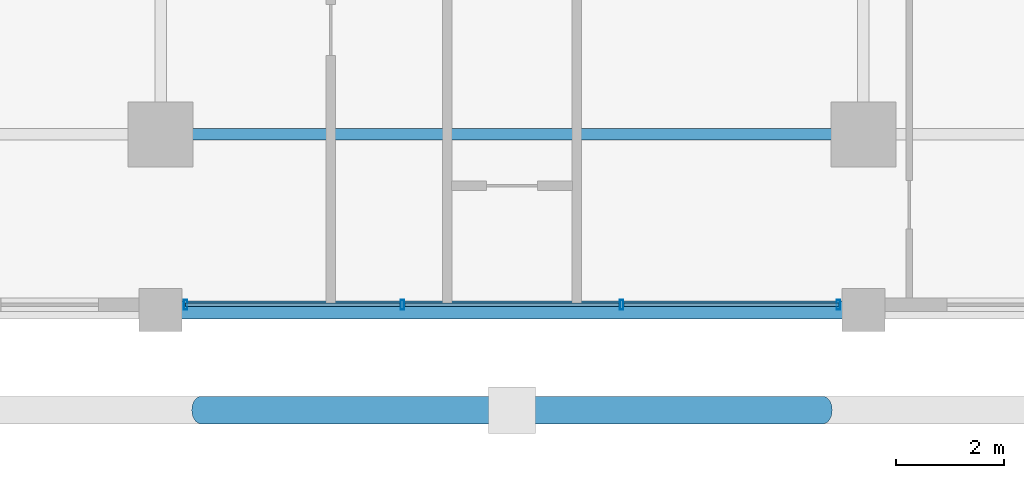
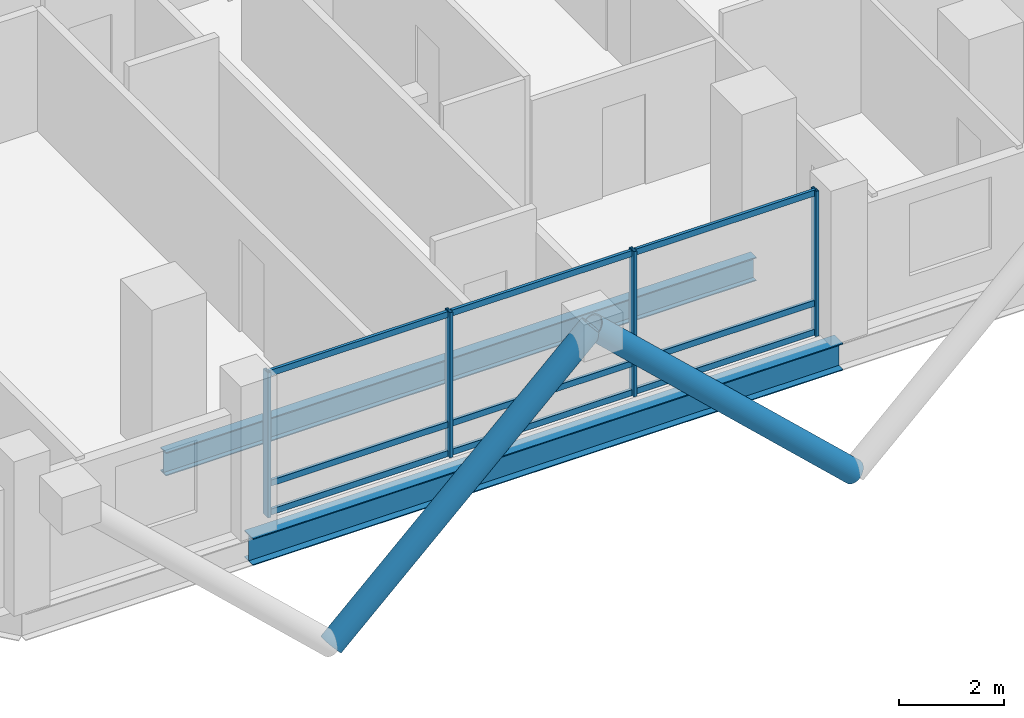
# One storey, part 2 of 23: 15 members, 2 beams, 1 element without a shape of its own.
"""IFC4 building model written with IfcOpenShell, lengths in metres."""

from ifc_helpers import new_model, si_unit, direction, frame, origin, origin_2d, place, context, subcontext, project, spatial, hollow_rectangle, hollow_circle, i_section, extrude, material, layer, layer_set, material_profile, profile_set, type_object, element, aggregate, save


model = new_model("IFC4")

# Units and contexts
model_context = context("Model", 3, precision=1e-05, world=origin(), true_north=direction((0.0, 1.0)))
body_context = subcontext(model_context, "Body", "Model", "MODEL_VIEW")
ifc_project = project(units=[si_unit("LENGTHUNIT", "METRE"), si_unit("AREAUNIT", "SQUARE_METRE"), si_unit("VOLUMEUNIT", "CUBIC_METRE"), si_unit("PLANEANGLEUNIT", "RADIAN"), si_unit("MASSUNIT", "GRAM", prefix="KILO")], contexts=[model_context])

# Site, building, storey
site_placement = place(None, origin())
site = spatial("IfcSite", under=ifc_project, at=site_placement, CompositionType="ELEMENT")
building_placement = place(site_placement, origin())
building = spatial("IfcBuilding", under=site, at=building_placement, Name="Barlavira Tower and Art Museum", CompositionType="ELEMENT")
storey_placement = place(building_placement, frame((0.0, 0.0, 151.199951171875)))
storey = spatial("IfcBuildingStorey", under=building, at=storey_placement, Name="L38", CompositionType="ELEMENT", Elevation=151.199951171875)

# Curtain wall, members
ifc_material_1 = material(Name="Low-iron coastal laminated glass", Category="glass")
ifc_layer = layer(ifc_material_1, 0.18994140625, Name="Low-iron coastal laminated glass")
ifc_layer_set = layer_set([ifc_layer], Name="Low-iron coastal laminated glass")
curtain_wall_type = type_object("IfcCurtainWallType", Name="Pale-Metal Unitised Curtain Wall Zone 2", PredefinedType="NOTDEFINED", material=ifc_layer_set)
curtain_wall_placement = place(storey_placement, origin())
curtain_wall = element("IfcCurtainWall", 1, at=curtain_wall_placement, inside=storey, type_object=curtain_wall_type, Name="L38 Curtain Wall CW2-L38-S-B3", PredefinedType="NOTDEFINED")
ifc_material_2 = material(Name="Pale anodised aluminium", Category="aluminium")
ifc_material_profile_1 = material_profile(ifc_material_2, hollow_rectangle(XDim=0.06494140625, YDim=0.179931640625, WallThickness=0.00390625, at=origin_2d()), Name="ALU-MULL 65x180x4")
ifc_profile_set_1 = profile_set([ifc_material_profile_1], Name="Pale anodised aluminium")
member_type_1 = type_object("IfcMemberType", Name="Curtain Wall Pale-Metal Mullion 65x180", PredefinedType="MULLION", material=ifc_profile_set_1)
member_1_placement = place(storey_placement, frame((-6.034912109375, -23.14990234375, 0.0), z_axis=(0.0, 0.0, 1.0), x_axis=(1.0, 0.0, 0.0)))
member_1 = element("IfcMember", 2, at=member_1_placement, type_object=member_type_1, Name="CW2-L38-S-B3 Mullion 0", PredefinedType="MULLION", context=body_context, shape_type="SweptSolid", body=[
    extrude(hollow_rectangle(XDim=0.06494140625, YDim=0.179931640625, WallThickness=0.00390625, at=origin_2d()), origin(), (0.0, 0.0, 1.0), 3.380126953125),
])
member_2_placement = place(storey_placement, frame((-2.026611328125, -23.14990234375, 0.0), z_axis=(0.0, 0.0, 1.0), x_axis=(1.0, 0.0, 0.0)))
member_2 = element("IfcMember", 3, at=member_2_placement, type_object=member_type_1, Name="CW2-L38-S-B3 Mullion 1", PredefinedType="MULLION", context=body_context, shape_type="SweptSolid", body=[
    extrude(hollow_rectangle(XDim=0.06494140625, YDim=0.179931640625, WallThickness=0.00390625, at=origin_2d()), origin(), (0.0, 0.0, 1.0), 3.380126953125),
])
member_3_placement = place(storey_placement, frame((2.026611328125, -23.14990234375, 0.0), z_axis=(0.0, 0.0, 1.0), x_axis=(1.0, 0.0, 0.0)))
member_3 = element("IfcMember", 4, at=member_3_placement, type_object=member_type_1, Name="CW2-L38-S-B3 Mullion 2", PredefinedType="MULLION", context=body_context, shape_type="SweptSolid", body=[
    extrude(hollow_rectangle(XDim=0.06494140625, YDim=0.179931640625, WallThickness=0.00390625, at=origin_2d()), origin(), (0.0, 0.0, 1.0), 3.380126953125),
])
member_4_placement = place(storey_placement, frame((6.034912109375, -23.14990234375, 0.0), z_axis=(0.0, 0.0, 1.0), x_axis=(1.0, 0.0, 0.0)))
member_4 = element("IfcMember", 5, at=member_4_placement, type_object=member_type_1, Name="CW2-L38-S-B3 Mullion 3", PredefinedType="MULLION", context=body_context, shape_type="SweptSolid", body=[
    extrude(hollow_rectangle(XDim=0.06494140625, YDim=0.179931640625, WallThickness=0.00390625, at=origin_2d()), origin(), (0.0, 0.0, 1.0), 3.380126953125),
])
ifc_material_profile_2 = material_profile(ifc_material_2, hollow_rectangle(XDim=0.06494140625, YDim=0.139892578125, WallThickness=0.00390625, at=origin_2d()), Name="ALU-TRAN 65x140x4")
ifc_profile_set_2 = profile_set([ifc_material_profile_2], Name="Pale anodised aluminium")
member_type_2 = type_object("IfcMemberType", Name="Curtain Wall Pale-Metal Transom 65x140", PredefinedType="USERDEFINED", material=ifc_profile_set_2)
member_5_placement = place(storey_placement, frame((-6.034912109375, -23.14990234375, 0.070068359375), z_axis=(1.0, 0.0, 0.0), x_axis=(0.0, 1.0, 0.0)))
member_5 = element("IfcMember", 6, at=member_5_placement, type_object=member_type_2, Name="CW2-L38-S-B3 Transom 0.1", ObjectType="TRANSOM", PredefinedType="USERDEFINED", context=body_context, shape_type="SweptSolid", body=[
    extrude(hollow_rectangle(XDim=0.06494140625, YDim=0.139892578125, WallThickness=0.00390625, at=origin_2d()), origin(), (0.0, 0.0, 1.0), 3.963134765625),
])
member_6_placement = place(storey_placement, frame((-6.034912109375, -23.14990234375, 0.744140625), z_axis=(1.0, 0.0, 0.0), x_axis=(0.0, 1.0, 0.0)))
member_6 = element("IfcMember", 7, at=member_6_placement, type_object=member_type_2, Name="CW2-L38-S-B3 Transom 0.2", ObjectType="TRANSOM", PredefinedType="USERDEFINED", context=body_context, shape_type="SweptSolid", body=[
    extrude(hollow_rectangle(XDim=0.06494140625, YDim=0.139892578125, WallThickness=0.00390625, at=origin_2d()), origin(), (0.0, 0.0, 1.0), 3.963134765625),
])
member_7_placement = place(storey_placement, frame((-6.034912109375, -23.14990234375, 3.31005859375), z_axis=(1.0, 0.0, 0.0), x_axis=(0.0, 1.0, 0.0)))
member_7 = element("IfcMember", 8, at=member_7_placement, type_object=member_type_2, Name="CW2-L38-S-B3 Transom 0.3", ObjectType="TRANSOM", PredefinedType="USERDEFINED", context=body_context, shape_type="SweptSolid", body=[
    extrude(hollow_rectangle(XDim=0.06494140625, YDim=0.139892578125, WallThickness=0.00390625, at=origin_2d()), origin(), (0.0, 0.0, 1.0), 3.963134765625),
])
member_8_placement = place(storey_placement, frame((-1.981689453125, -23.14990234375, 0.070068359375), z_axis=(1.0, 0.0, 0.0), x_axis=(0.0, 1.0, 0.0)))
member_8 = element("IfcMember", 9, at=member_8_placement, type_object=member_type_2, Name="CW2-L38-S-B3 Transom 1.1", ObjectType="TRANSOM", PredefinedType="USERDEFINED", context=body_context, shape_type="SweptSolid", body=[
    extrude(hollow_rectangle(XDim=0.06494140625, YDim=0.139892578125, WallThickness=0.00390625, at=origin_2d()), origin(), (0.0, 0.0, 1.0), 3.96337890625),
])
member_9_placement = place(storey_placement, frame((-1.981689453125, -23.14990234375, 0.744140625), z_axis=(1.0, 0.0, 0.0), x_axis=(0.0, 1.0, 0.0)))
member_9 = element("IfcMember", 10, at=member_9_placement, type_object=member_type_2, Name="CW2-L38-S-B3 Transom 1.2", ObjectType="TRANSOM", PredefinedType="USERDEFINED", context=body_context, shape_type="SweptSolid", body=[
    extrude(hollow_rectangle(XDim=0.06494140625, YDim=0.139892578125, WallThickness=0.00390625, at=origin_2d()), origin(), (0.0, 0.0, 1.0), 3.96337890625),
])
member_10_placement = place(storey_placement, frame((-1.981689453125, -23.14990234375, 3.31005859375), z_axis=(1.0, 0.0, 0.0), x_axis=(0.0, 1.0, 0.0)))
member_10 = element("IfcMember", 11, at=member_10_placement, type_object=member_type_2, Name="CW2-L38-S-B3 Transom 1.3", ObjectType="TRANSOM", PredefinedType="USERDEFINED", context=body_context, shape_type="SweptSolid", body=[
    extrude(hollow_rectangle(XDim=0.06494140625, YDim=0.139892578125, WallThickness=0.00390625, at=origin_2d()), origin(), (0.0, 0.0, 1.0), 3.96337890625),
])
member_11_placement = place(storey_placement, frame((2.07177734375, -23.14990234375, 0.070068359375), z_axis=(1.0, 0.0, 0.0), x_axis=(0.0, 1.0, 0.0)))
member_11 = element("IfcMember", 12, at=member_11_placement, type_object=member_type_2, Name="CW2-L38-S-B3 Transom 2.1", ObjectType="TRANSOM", PredefinedType="USERDEFINED", context=body_context, shape_type="SweptSolid", body=[
    extrude(hollow_rectangle(XDim=0.06494140625, YDim=0.139892578125, WallThickness=0.00390625, at=origin_2d()), origin(), (0.0, 0.0, 1.0), 3.963134765625),
])
member_12_placement = place(storey_placement, frame((2.07177734375, -23.14990234375, 0.744140625), z_axis=(1.0, 0.0, 0.0), x_axis=(0.0, 1.0, 0.0)))
member_12 = element("IfcMember", 13, at=member_12_placement, type_object=member_type_2, Name="CW2-L38-S-B3 Transom 2.2", ObjectType="TRANSOM", PredefinedType="USERDEFINED", context=body_context, shape_type="SweptSolid", body=[
    extrude(hollow_rectangle(XDim=0.06494140625, YDim=0.139892578125, WallThickness=0.00390625, at=origin_2d()), origin(), (0.0, 0.0, 1.0), 3.963134765625),
])
member_13_placement = place(storey_placement, frame((2.07177734375, -23.14990234375, 3.31005859375), z_axis=(1.0, 0.0, 0.0), x_axis=(0.0, 1.0, 0.0)))
member_13 = element("IfcMember", 14, at=member_13_placement, type_object=member_type_2, Name="CW2-L38-S-B3 Transom 2.3", ObjectType="TRANSOM", PredefinedType="USERDEFINED", context=body_context, shape_type="SweptSolid", body=[
    extrude(hollow_rectangle(XDim=0.06494140625, YDim=0.139892578125, WallThickness=0.00390625, at=origin_2d()), origin(), (0.0, 0.0, 1.0), 3.963134765625),
])
aggregate(curtain_wall, [member_1, member_2, member_3, member_4, member_5, member_6, member_7, member_8, member_9, member_10, member_11, member_12, member_13])

# Members
ifc_material_3 = material(Name="Steel S355", Category="steel")
ifc_material_profile_3 = material_profile(ifc_material_3, hollow_circle(Radius=0.25390625, WallThickness=0.022216796875, at=origin_2d()), Name="CHS 508.0x22.2")
ifc_profile_set_3 = profile_set([ifc_material_profile_3], Name="Steel S355")
member_type_3 = type_object("IfcMemberType", Name="Pale-Metal Exoskeleton Diagrid Tube CHS 508x22 Steel S355", PredefinedType="BRACE", material=ifc_profile_set_3)
for number, where, z_axis, x_axis, name in (
    (15, (-5.75, -25.10009765625, -1.919921875), (0.728950095515, 0.0, 0.684566839869), (0.0, 1.0, 0.0), "L38 Exoskeleton Diagrid Tube S"),
    (16, (5.75, -25.10009765625, -1.919921875), (-0.728950095515, 0.0, 0.684566839869), (0.0, -1.0, 0.0), "L38 Exoskeleton Diagrid Tube S"),
):
    element("IfcMember", number, at=place(storey_placement, frame(where, z_axis=z_axis, x_axis=x_axis)), inside=storey, type_object=member_type_3, Name=name, PredefinedType="BRACE", context=body_context, shape_type="SweptSolid", body=[
        extrude(hollow_circle(Radius=0.25390625, WallThickness=0.022216796875, at=origin_2d()), origin(), (0.0, 0.0, 1.0), 7.887939453125),
    ])

# Beams
ifc_material_profile_4 = material_profile(ifc_material_3, i_section(OverallWidth=0.327880859375, OverallDepth=0.62890625, WebThickness=0.013916015625, FlangeThickness=0.021484375, at=origin_2d()), Name="W610x174.0")
ifc_profile_set_4 = profile_set([ifc_material_profile_4], Name="Steel S355")
beam_type_1 = type_object("IfcBeamType", Name="Perimeter Spandrel Edge Beam W610x174 Steel S355", PredefinedType="SPANDREL", material=ifc_profile_set_4)
beam_1_placement = place(storey_placement, frame((-6.5, -23.25, -0.534423828125), z_axis=(1.0, 0.0, 0.0), x_axis=(0.0, 1.0, 0.0)))
element("IfcBeam", 17, at=beam_1_placement, inside=storey, type_object=beam_type_1, Name="L38 Spandrel 2", PredefinedType="SPANDREL", context=body_context, shape_type="SweptSolid", body=[
    extrude(i_section(OverallWidth=0.327880859375, OverallDepth=0.62890625, WebThickness=0.013916015625, FlangeThickness=0.021484375, at=origin_2d()), origin(), (0.0, 0.0, 1.0), 13.0),
])
ifc_material_profile_5 = material_profile(ifc_material_3, i_section(OverallWidth=0.214111328125, OverallDepth=0.549072265625, WebThickness=0.0146484375, FlangeThickness=0.023681640625, at=origin_2d()), Name="W530x138.0")
ifc_profile_set_5 = profile_set([ifc_material_profile_5], Name="Steel S355")
beam_type_2 = type_object("IfcBeamType", Name="Zone 1 Primary Floor Girder W530x138 Steel S355", PredefinedType="BEAM", material=ifc_profile_set_5)
beam_2_placement = place(storey_placement, frame((-6.5, -20.0, -0.494384765625), z_axis=(1.0, 0.0, 0.0), x_axis=(0.0, 1.0, 0.0)))
element("IfcBeam", 18, at=beam_2_placement, inside=storey, type_object=beam_type_2, Name="L38 Girder M-S2", PredefinedType="BEAM", context=body_context, shape_type="SweptSolid", body=[
    extrude(i_section(OverallWidth=0.214111328125, OverallDepth=0.549072265625, WebThickness=0.0146484375, FlangeThickness=0.023681640625, at=origin_2d()), origin(), (0.0, 0.0, 1.0), 13.0),
])

save(model, "model.ifc")
